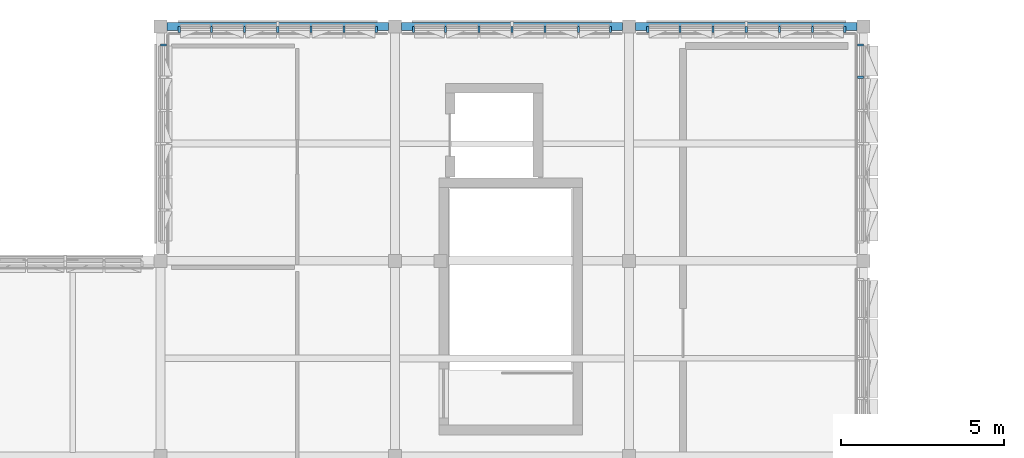
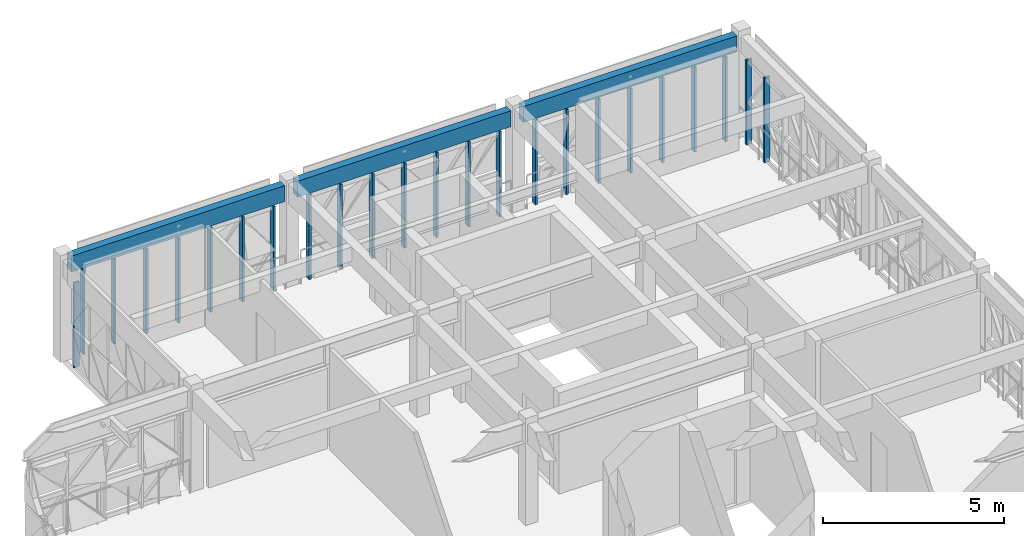
# One storey, part 7 of 25: 24 members, 3 beams, 5 elements without a shape of their own.
"""IFC4 building model written with IfcOpenShell, lengths in metres."""

from ifc_helpers import new_model, si_unit, direction, frame, origin, origin_2d, place, context, subcontext, project, spatial, rectangle, extrude, material, material_profile, profile_set, type_object, element, aggregate, save


model = new_model("IFC4")

# Units and contexts
model_context = context("Model", 3, precision=1e-05, world=origin(), true_north=direction((0.0, 1.0)))
body_context = subcontext(model_context, "Body", "Model", "MODEL_VIEW")
ifc_project = project(units=[si_unit("LENGTHUNIT", "METRE"), si_unit("AREAUNIT", "SQUARE_METRE"), si_unit("VOLUMEUNIT", "CUBIC_METRE"), si_unit("PLANEANGLEUNIT", "RADIAN"), si_unit("MASSUNIT", "GRAM", prefix="KILO")], contexts=[model_context])

# Site, building, storey
site_placement = place(None, origin())
site = spatial("IfcSite", under=ifc_project, at=site_placement, CompositionType="ELEMENT")
building_placement = place(site_placement, origin())
building = spatial("IfcBuilding", under=site, at=building_placement, Name="Alvorim Cloister Faculty of Sciences", CompositionType="ELEMENT")
storey_placement = place(building_placement, frame((0.0, 0.0, 29.699951171875)))
storey = spatial("IfcBuildingStorey", under=building, at=storey_placement, Name="L08", CompositionType="ELEMENT", Elevation=29.699951171875)

# Beams
ifc_material_1 = material(Name="Glulam GL28h", Category="wood")
ifc_material_profile_1 = material_profile(ifc_material_1, rectangle(XDim=0.239990234375, YDim=0.5400390625, at=origin_2d()), Name="GL28-SPD-240x540")
ifc_profile_set_1 = profile_set([ifc_material_profile_1], Name="Glulam GL28h")
beam_type = type_object("IfcBeamType", Name="BM-SPD-GL-240x540", PredefinedType="SPANDREL", material=ifc_profile_set_1)
beam_1_placement = place(storey_placement, frame((7.39990234375, 56.39990234375, 3.130126953125), z_axis=(1.0, 0.0, 0.0), x_axis=(0.0, 1.0, 0.0)))
element("IfcBeam", 1, at=beam_1_placement, inside=storey, type_object=beam_type, Name="L08 Primary Beam BM-2177", PredefinedType="SPANDREL", context=body_context, shape_type="SweptSolid", body=[
    extrude(rectangle(XDim=0.239990234375, YDim=0.5400390625, at=origin_2d()), origin(), (0.0, 0.0, 1.0), 6.800048828125),
])
beam_2_placement = place(storey_placement, frame((14.60009765625, 56.39990234375, 3.130126953125), z_axis=(1.0, 0.0, 0.0), x_axis=(0.0, 1.0, 0.0)))
element("IfcBeam", 2, at=beam_2_placement, inside=storey, type_object=beam_type, Name="L08 Primary Beam BM-2178", PredefinedType="SPANDREL", context=body_context, shape_type="SweptSolid", body=[
    extrude(rectangle(XDim=0.239990234375, YDim=0.5400390625, at=origin_2d()), origin(), (0.0, 0.0, 1.0), 6.7998046875),
])
beam_3_placement = place(storey_placement, frame((21.800048828125, 56.39990234375, 3.130126953125), z_axis=(1.0, 0.0, 0.0), x_axis=(0.0, 1.0, 0.0)))
element("IfcBeam", 3, at=beam_3_placement, inside=storey, type_object=beam_type, Name="L08 Primary Beam BM-2179", PredefinedType="SPANDREL", context=body_context, shape_type="SweptSolid", body=[
    extrude(rectangle(XDim=0.239990234375, YDim=0.5400390625, at=origin_2d()), origin(), (0.0, 0.0, 1.0), 6.800048828125),
])

# Curtain wall, member
ifc_material_2 = material(Name="Aluminium and Low-E Glass Curtain Wall", Category="aluminium")
curtain_wall_type = type_object("IfcCurtainWallType", Name="CW-TRI-6120x2860", PredefinedType="USERDEFINED", material=ifc_material_2)
curtain_wall_1_placement = place(storey_placement, origin())
curtain_wall_1 = element("IfcCurtainWall", 4, at=curtain_wall_1_placement, inside=storey, type_object=curtain_wall_type, Name="L08 Diagonal Cassette Curtain Wall CW-0286", ObjectType="UNITISED CURTAIN WALL", PredefinedType="USERDEFINED")
ifc_material_3 = material(Name="Aluminium Alloy 6063-T6", Category="aluminium")
ifc_material_profile_2 = material_profile(ifc_material_3, rectangle(XDim=0.06494140625, YDim=0.179931640625, at=origin_2d()), Name="ALU-MUL-65x180")
ifc_profile_set_2 = profile_set([ifc_material_profile_2], Name="Aluminium Alloy 6063-T6")
member_type = type_object("IfcMemberType", Name="CW-MUL-65x180", PredefinedType="MULLION", material=ifc_profile_set_2)
member_1_placement = place(storey_placement, frame((7.2900390625, 55.827392578125, 0.0), z_axis=(0.0, 0.0, 1.0), x_axis=(0.0, 1.0, 0.0)))
member_1 = element("IfcMember", 5, at=member_1_placement, type_object=member_type, Name="CW-0286 Mullion 7", PredefinedType="MULLION", context=body_context, shape_type="SweptSolid", body=[
    extrude(rectangle(XDim=0.06494140625, YDim=0.179931640625, at=origin_2d()), origin(), (0.0, 0.0, 1.0), 2.860107421875),
])
aggregate(curtain_wall_1, [member_1])

# Curtain wall, members
curtain_wall_2_placement = place(storey_placement, origin())
curtain_wall_2 = element("IfcCurtainWall", 6, at=curtain_wall_2_placement, inside=storey, type_object=curtain_wall_type, Name="L08 Diagonal Cassette Curtain Wall CW-0287", ObjectType="UNITISED CURTAIN WALL", PredefinedType="USERDEFINED")
member_2_placement = place(storey_placement, frame((7.7724609375, 56.31005859375, 0.0), z_axis=(0.0, 0.0, 1.0), x_axis=(1.0, 0.0, 0.0)))
member_2 = element("IfcMember", 7, at=member_2_placement, type_object=member_type, Name="CW-0287 Mullion 1", PredefinedType="MULLION", context=body_context, shape_type="SweptSolid", body=[
    extrude(rectangle(XDim=0.06494140625, YDim=0.179931640625, at=origin_2d()), origin(), (0.0, 0.0, 1.0), 2.860107421875),
])
member_3_placement = place(storey_placement, frame((8.760009765625, 56.31005859375, 0.0), z_axis=(0.0, 0.0, 1.0), x_axis=(1.0, 0.0, 0.0)))
member_3 = element("IfcMember", 8, at=member_3_placement, type_object=member_type, Name="CW-0287 Mullion 2", PredefinedType="MULLION", context=body_context, shape_type="SweptSolid", body=[
    extrude(rectangle(XDim=0.06494140625, YDim=0.179931640625, at=origin_2d()), origin(), (0.0, 0.0, 1.0), 2.860107421875),
])
member_4_placement = place(storey_placement, frame((9.780029296875, 56.31005859375, 0.0), z_axis=(0.0, 0.0, 1.0), x_axis=(1.0, 0.0, 0.0)))
member_4 = element("IfcMember", 9, at=member_4_placement, type_object=member_type, Name="CW-0287 Mullion 3", PredefinedType="MULLION", context=body_context, shape_type="SweptSolid", body=[
    extrude(rectangle(XDim=0.06494140625, YDim=0.179931640625, at=origin_2d()), origin(), (0.0, 0.0, 1.0), 2.860107421875),
])
member_5_placement = place(storey_placement, frame((10.800048828125, 56.31005859375, 0.0), z_axis=(0.0, 0.0, 1.0), x_axis=(1.0, 0.0, 0.0)))
member_5 = element("IfcMember", 10, at=member_5_placement, type_object=member_type, Name="CW-0287 Mullion 4", PredefinedType="MULLION", context=body_context, shape_type="SweptSolid", body=[
    extrude(rectangle(XDim=0.06494140625, YDim=0.179931640625, at=origin_2d()), origin(), (0.0, 0.0, 1.0), 2.860107421875),
])
member_6_placement = place(storey_placement, frame((11.820068359375, 56.31005859375, 0.0), z_axis=(0.0, 0.0, 1.0), x_axis=(1.0, 0.0, 0.0)))
member_6 = element("IfcMember", 11, at=member_6_placement, type_object=member_type, Name="CW-0287 Mullion 5", PredefinedType="MULLION", context=body_context, shape_type="SweptSolid", body=[
    extrude(rectangle(XDim=0.06494140625, YDim=0.179931640625, at=origin_2d()), origin(), (0.0, 0.0, 1.0), 2.860107421875),
])
member_7_placement = place(storey_placement, frame((12.840087890625, 56.31005859375, 0.0), z_axis=(0.0, 0.0, 1.0), x_axis=(1.0, 0.0, 0.0)))
member_7 = element("IfcMember", 12, at=member_7_placement, type_object=member_type, Name="CW-0287 Mullion 6", PredefinedType="MULLION", context=body_context, shape_type="SweptSolid", body=[
    extrude(rectangle(XDim=0.06494140625, YDim=0.179931640625, at=origin_2d()), origin(), (0.0, 0.0, 1.0), 2.860107421875),
])
member_8_placement = place(storey_placement, frame((13.827392578125, 56.31005859375, 0.0), z_axis=(0.0, 0.0, 1.0), x_axis=(1.0, 0.0, 0.0)))
member_8 = element("IfcMember", 13, at=member_8_placement, type_object=member_type, Name="CW-0287 Mullion 7", PredefinedType="MULLION", context=body_context, shape_type="SweptSolid", body=[
    extrude(rectangle(XDim=0.06494140625, YDim=0.179931640625, at=origin_2d()), origin(), (0.0, 0.0, 1.0), 2.860107421875),
])
aggregate(curtain_wall_2, [member_2, member_3, member_4, member_5, member_6, member_7, member_8])

curtain_wall_3_placement = place(storey_placement, origin())
curtain_wall_3 = element("IfcCurtainWall", 14, at=curtain_wall_3_placement, inside=storey, type_object=curtain_wall_type, Name="L08 Diagonal Cassette Curtain Wall CW-0288", ObjectType="UNITISED CURTAIN WALL", PredefinedType="USERDEFINED")
member_9_placement = place(storey_placement, frame((14.972412109375, 56.31005859375, 0.0), z_axis=(0.0, 0.0, 1.0), x_axis=(1.0, 0.0, 0.0)))
member_9 = element("IfcMember", 15, at=member_9_placement, type_object=member_type, Name="CW-0288 Mullion 1", PredefinedType="MULLION", context=body_context, shape_type="SweptSolid", body=[
    extrude(rectangle(XDim=0.06494140625, YDim=0.179931640625, at=origin_2d()), origin(), (0.0, 0.0, 1.0), 2.860107421875),
])
member_10_placement = place(storey_placement, frame((15.9599609375, 56.31005859375, 0.0), z_axis=(0.0, 0.0, 1.0), x_axis=(1.0, 0.0, 0.0)))
member_10 = element("IfcMember", 16, at=member_10_placement, type_object=member_type, Name="CW-0288 Mullion 2", PredefinedType="MULLION", context=body_context, shape_type="SweptSolid", body=[
    extrude(rectangle(XDim=0.06494140625, YDim=0.179931640625, at=origin_2d()), origin(), (0.0, 0.0, 1.0), 2.860107421875),
])
member_11_placement = place(storey_placement, frame((16.97998046875, 56.31005859375, 0.0), z_axis=(0.0, 0.0, 1.0), x_axis=(1.0, 0.0, 0.0)))
member_11 = element("IfcMember", 17, at=member_11_placement, type_object=member_type, Name="CW-0288 Mullion 3", PredefinedType="MULLION", context=body_context, shape_type="SweptSolid", body=[
    extrude(rectangle(XDim=0.06494140625, YDim=0.179931640625, at=origin_2d()), origin(), (0.0, 0.0, 1.0), 2.860107421875),
])
member_12_placement = place(storey_placement, frame((18.0, 56.31005859375, 0.0), z_axis=(0.0, 0.0, 1.0), x_axis=(1.0, 0.0, 0.0)))
member_12 = element("IfcMember", 18, at=member_12_placement, type_object=member_type, Name="CW-0288 Mullion 4", PredefinedType="MULLION", context=body_context, shape_type="SweptSolid", body=[
    extrude(rectangle(XDim=0.06494140625, YDim=0.179931640625, at=origin_2d()), origin(), (0.0, 0.0, 1.0), 2.860107421875),
])
member_13_placement = place(storey_placement, frame((19.02001953125, 56.31005859375, 0.0), z_axis=(0.0, 0.0, 1.0), x_axis=(1.0, 0.0, 0.0)))
member_13 = element("IfcMember", 19, at=member_13_placement, type_object=member_type, Name="CW-0288 Mullion 5", PredefinedType="MULLION", context=body_context, shape_type="SweptSolid", body=[
    extrude(rectangle(XDim=0.06494140625, YDim=0.179931640625, at=origin_2d()), origin(), (0.0, 0.0, 1.0), 2.860107421875),
])
member_14_placement = place(storey_placement, frame((20.0400390625, 56.31005859375, 0.0), z_axis=(0.0, 0.0, 1.0), x_axis=(1.0, 0.0, 0.0)))
member_14 = element("IfcMember", 20, at=member_14_placement, type_object=member_type, Name="CW-0288 Mullion 6", PredefinedType="MULLION", context=body_context, shape_type="SweptSolid", body=[
    extrude(rectangle(XDim=0.06494140625, YDim=0.179931640625, at=origin_2d()), origin(), (0.0, 0.0, 1.0), 2.860107421875),
])
member_15_placement = place(storey_placement, frame((21.027587890625, 56.31005859375, 0.0), z_axis=(0.0, 0.0, 1.0), x_axis=(1.0, 0.0, 0.0)))
member_15 = element("IfcMember", 21, at=member_15_placement, type_object=member_type, Name="CW-0288 Mullion 7", PredefinedType="MULLION", context=body_context, shape_type="SweptSolid", body=[
    extrude(rectangle(XDim=0.06494140625, YDim=0.179931640625, at=origin_2d()), origin(), (0.0, 0.0, 1.0), 2.860107421875),
])
aggregate(curtain_wall_3, [member_9, member_10, member_11, member_12, member_13, member_14, member_15])

curtain_wall_4_placement = place(storey_placement, origin())
curtain_wall_4 = element("IfcCurtainWall", 22, at=curtain_wall_4_placement, inside=storey, type_object=curtain_wall_type, Name="L08 Diagonal Cassette Curtain Wall CW-0289", ObjectType="UNITISED CURTAIN WALL", PredefinedType="USERDEFINED")
member_16_placement = place(storey_placement, frame((22.172607421875, 56.31005859375, 0.0), z_axis=(0.0, 0.0, 1.0), x_axis=(1.0, 0.0, 0.0)))
member_16 = element("IfcMember", 23, at=member_16_placement, type_object=member_type, Name="CW-0289 Mullion 1", PredefinedType="MULLION", context=body_context, shape_type="SweptSolid", body=[
    extrude(rectangle(XDim=0.06494140625, YDim=0.179931640625, at=origin_2d()), origin(), (0.0, 0.0, 1.0), 2.860107421875),
])
member_17_placement = place(storey_placement, frame((23.159912109375, 56.31005859375, 0.0), z_axis=(0.0, 0.0, 1.0), x_axis=(1.0, 0.0, 0.0)))
member_17 = element("IfcMember", 24, at=member_17_placement, type_object=member_type, Name="CW-0289 Mullion 2", PredefinedType="MULLION", context=body_context, shape_type="SweptSolid", body=[
    extrude(rectangle(XDim=0.06494140625, YDim=0.179931640625, at=origin_2d()), origin(), (0.0, 0.0, 1.0), 2.860107421875),
])
member_18_placement = place(storey_placement, frame((24.179931640625, 56.31005859375, 0.0), z_axis=(0.0, 0.0, 1.0), x_axis=(1.0, 0.0, 0.0)))
member_18 = element("IfcMember", 25, at=member_18_placement, type_object=member_type, Name="CW-0289 Mullion 3", PredefinedType="MULLION", context=body_context, shape_type="SweptSolid", body=[
    extrude(rectangle(XDim=0.06494140625, YDim=0.179931640625, at=origin_2d()), origin(), (0.0, 0.0, 1.0), 2.860107421875),
])
member_19_placement = place(storey_placement, frame((25.199951171875, 56.31005859375, 0.0), z_axis=(0.0, 0.0, 1.0), x_axis=(1.0, 0.0, 0.0)))
member_19 = element("IfcMember", 26, at=member_19_placement, type_object=member_type, Name="CW-0289 Mullion 4", PredefinedType="MULLION", context=body_context, shape_type="SweptSolid", body=[
    extrude(rectangle(XDim=0.06494140625, YDim=0.179931640625, at=origin_2d()), origin(), (0.0, 0.0, 1.0), 2.860107421875),
])
member_20_placement = place(storey_placement, frame((26.219970703125, 56.31005859375, 0.0), z_axis=(0.0, 0.0, 1.0), x_axis=(1.0, 0.0, 0.0)))
member_20 = element("IfcMember", 27, at=member_20_placement, type_object=member_type, Name="CW-0289 Mullion 5", PredefinedType="MULLION", context=body_context, shape_type="SweptSolid", body=[
    extrude(rectangle(XDim=0.06494140625, YDim=0.179931640625, at=origin_2d()), origin(), (0.0, 0.0, 1.0), 2.860107421875),
])
member_21_placement = place(storey_placement, frame((27.239990234375, 56.31005859375, 0.0), z_axis=(0.0, 0.0, 1.0), x_axis=(1.0, 0.0, 0.0)))
member_21 = element("IfcMember", 28, at=member_21_placement, type_object=member_type, Name="CW-0289 Mullion 6", PredefinedType="MULLION", context=body_context, shape_type="SweptSolid", body=[
    extrude(rectangle(XDim=0.06494140625, YDim=0.179931640625, at=origin_2d()), origin(), (0.0, 0.0, 1.0), 2.860107421875),
])
member_22_placement = place(storey_placement, frame((28.2275390625, 56.31005859375, 0.0), z_axis=(0.0, 0.0, 1.0), x_axis=(1.0, 0.0, 0.0)))
member_22 = element("IfcMember", 29, at=member_22_placement, type_object=member_type, Name="CW-0289 Mullion 7", PredefinedType="MULLION", context=body_context, shape_type="SweptSolid", body=[
    extrude(rectangle(XDim=0.06494140625, YDim=0.179931640625, at=origin_2d()), origin(), (0.0, 0.0, 1.0), 2.860107421875),
])
aggregate(curtain_wall_4, [member_16, member_17, member_18, member_19, member_20, member_21, member_22])

curtain_wall_5_placement = place(storey_placement, origin())
curtain_wall_5 = element("IfcCurtainWall", 30, at=curtain_wall_5_placement, inside=storey, type_object=curtain_wall_type, Name="L08 Diagonal Cassette Curtain Wall CW-0290", ObjectType="UNITISED CURTAIN WALL", PredefinedType="USERDEFINED")
member_23_placement = place(storey_placement, frame((28.7099609375, 54.840087890625, 0.0), z_axis=(0.0, 0.0, 1.0), x_axis=(0.0, 1.0, 0.0)))
member_23 = element("IfcMember", 31, at=member_23_placement, type_object=member_type, Name="CW-0290 Mullion 6", PredefinedType="MULLION", context=body_context, shape_type="SweptSolid", body=[
    extrude(rectangle(XDim=0.06494140625, YDim=0.179931640625, at=origin_2d()), origin(), (0.0, 0.0, 1.0), 2.860107421875),
])
member_24_placement = place(storey_placement, frame((28.7099609375, 55.827392578125, 0.0), z_axis=(0.0, 0.0, 1.0), x_axis=(0.0, 1.0, 0.0)))
member_24 = element("IfcMember", 32, at=member_24_placement, type_object=member_type, Name="CW-0290 Mullion 7", PredefinedType="MULLION", context=body_context, shape_type="SweptSolid", body=[
    extrude(rectangle(XDim=0.06494140625, YDim=0.179931640625, at=origin_2d()), origin(), (0.0, 0.0, 1.0), 2.860107421875),
])
aggregate(curtain_wall_5, [member_23, member_24])

save(model, "model.ifc")
